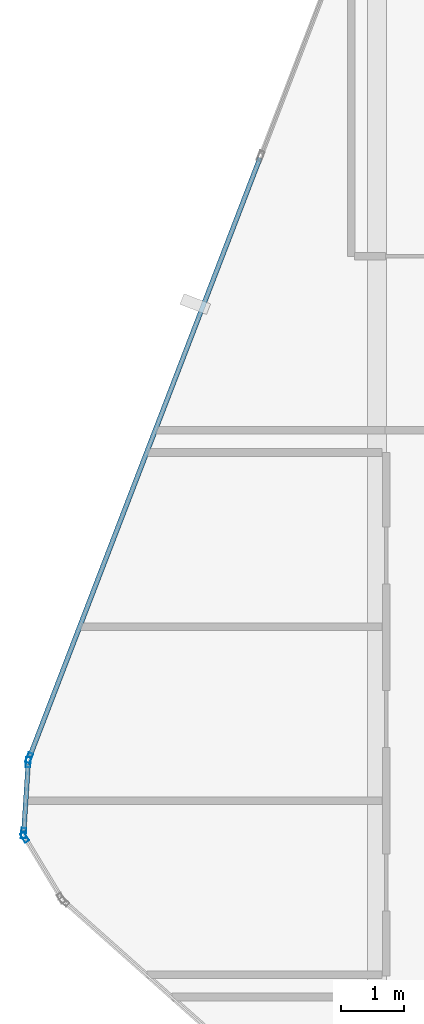
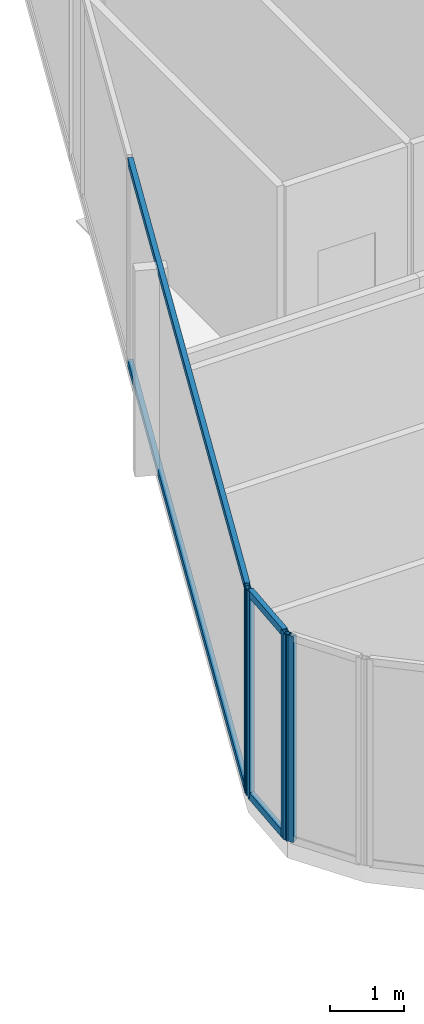
# One storey, part 8 of 28: 8 members, 3 elements without a shape of their own.
"""IFC4 building model written with IfcOpenShell, lengths in metres."""

from ifc_helpers import new_model, si_unit, direction, frame, origin, origin_2d, place, context, subcontext, project, spatial, hollow_rectangle, extrude, material, layer, layer_set, material_profile, profile_set, type_object, element, aggregate, save


model = new_model("IFC4")

# Units and contexts
model_context = context("Model", 3, precision=1e-05, world=origin(), true_north=direction((0.0, 1.0)))
body_context = subcontext(model_context, "Body", "Model", "MODEL_VIEW")
ifc_project = project(units=[si_unit("LENGTHUNIT", "METRE"), si_unit("AREAUNIT", "SQUARE_METRE"), si_unit("VOLUMEUNIT", "CUBIC_METRE"), si_unit("PLANEANGLEUNIT", "RADIAN"), si_unit("MASSUNIT", "GRAM", prefix="KILO")], contexts=[model_context])

# Site, building, storey
site_placement = place(None, origin())
site = spatial("IfcSite", under=ifc_project, at=site_placement, CompositionType="ELEMENT")
building_placement = place(site_placement, origin())
building = spatial("IfcBuilding", under=site, at=building_placement, Name="Keshet Zoharim Tower", CompositionType="ELEMENT")
storey_placement = place(building_placement, frame((0.0, 0.0, 303.60009765625)))
storey = spatial("IfcBuildingStorey", under=building, at=storey_placement, Name="L76", CompositionType="ELEMENT", Elevation=303.60009765625)

# Curtain wall, member
ifc_material = material(Name="Aluminium 6063-T6", Category="aluminium")
ifc_layer = layer(ifc_material, 0.260009765625)
ifc_layer_set = layer_set([ifc_layer], Name="Aluminium 6063-T6")
curtain_wall_type = type_object("IfcCurtainWallType", Name="CW-SYS-06", PredefinedType="NOTDEFINED", material=ifc_layer_set)
curtain_wall_1_placement = place(storey_placement, origin())
curtain_wall_1 = element("IfcCurtainWall", 1, at=curtain_wall_1_placement, inside=storey, type_object=curtain_wall_type, Name="L76 Unitised Curtain Wall 01", PredefinedType="NOTDEFINED")
ifc_material_profile_1 = material_profile(ifc_material, hollow_rectangle(XDim=0.074951171875, YDim=0.159912109375, WallThickness=0.00390625, at=origin_2d()), Name="MUL-75x160")
ifc_profile_set_1 = profile_set([ifc_material_profile_1], Name="Aluminium 6063-T6")
member_type_1 = type_object("IfcMemberType", Name="CWM-M15", PredefinedType="MULLION", material=ifc_profile_set_1)
member_1_placement = place(storey_placement, frame((3.43798828125, 22.77197265625, 0.0), z_axis=(0.0, 0.0, 1.0), x_axis=(-0.856826433805, -0.515604947933, 0.0)))
member_1 = element("IfcMember", 2, at=member_1_placement, type_object=member_type_1, Name="CW-06 mullion 2", PredefinedType="MULLION", context=body_context, shape_type="SweptSolid", body=[
    extrude(hollow_rectangle(XDim=0.074951171875, YDim=0.159912109375, WallThickness=0.00390625, at=origin_2d()), origin(), (0.0, 0.0, 1.0), 3.389892578125),
])
aggregate(curtain_wall_1, [member_1])

# Curtain wall, members
curtain_wall_2_placement = place(storey_placement, origin())
curtain_wall_2 = element("IfcCurtainWall", 3, at=curtain_wall_2_placement, inside=storey, type_object=curtain_wall_type, Name="L76 Unitised Curtain Wall 02", PredefinedType="NOTDEFINED")
member_2_placement = place(storey_placement, frame((3.42236328125, 22.8369140625, 0.0), z_axis=(0.0, 0.0, 1.0), x_axis=(-0.997916617186, 0.064516859374, 0.0)))
member_2 = element("IfcMember", 4, at=member_2_placement, type_object=member_type_1, Name="CW-06 mullion 1", PredefinedType="MULLION", context=body_context, shape_type="SweptSolid", body=[
    extrude(hollow_rectangle(XDim=0.074951171875, YDim=0.159912109375, WallThickness=0.00390625, at=origin_2d()), origin(), (0.0, 0.0, 1.0), 3.389892578125),
])
member_3_placement = place(storey_placement, frame((3.49462890625, 23.9580078125, 0.0), z_axis=(0.0, 0.0, 1.0), x_axis=(-0.997916617186, 0.064516859374, 0.0)))
member_3 = element("IfcMember", 5, at=member_3_placement, type_object=member_type_1, Name="CW-06 mullion 2", PredefinedType="MULLION", context=body_context, shape_type="SweptSolid", body=[
    extrude(hollow_rectangle(XDim=0.074951171875, YDim=0.159912109375, WallThickness=0.00390625, at=origin_2d()), origin(), (0.0, 0.0, 1.0), 3.389892578125),
])

# Curtain wall, member
curtain_wall_3_placement = place(storey_placement, origin())
curtain_wall_3 = element("IfcCurtainWall", 6, at=curtain_wall_3_placement, inside=storey, type_object=curtain_wall_type, Name="L76 Unitised Curtain Wall 03", PredefinedType="NOTDEFINED")
member_4_placement = place(storey_placement, frame((3.509521484375, 24.025634765625, 0.0), z_axis=(0.0, 0.0, 1.0), x_axis=(-0.933341404361, 0.358990003907, 0.0)))
member_4 = element("IfcMember", 7, at=member_4_placement, type_object=member_type_1, Name="CW-06 mullion 1", PredefinedType="MULLION", context=body_context, shape_type="SweptSolid", body=[
    extrude(hollow_rectangle(XDim=0.074951171875, YDim=0.159912109375, WallThickness=0.00390625, at=origin_2d()), origin(), (0.0, 0.0, 1.0), 3.389892578125),
])

# Member
ifc_material_profile_2 = material_profile(ifc_material, hollow_rectangle(XDim=0.074951171875, YDim=0.1201171875, WallThickness=0.00390625, at=origin_2d()), Name="TRN-75x120")
ifc_profile_set_2 = profile_set([ifc_material_profile_2], Name="Aluminium 6063-T6")
member_type_2 = type_object("IfcMemberType", Name="CWT-T12", PredefinedType="USERDEFINED", material=ifc_profile_set_2)
member_5_placement = place(storey_placement, frame((3.424560546875, 22.871826171875, 0.034912109375), z_axis=(0.064426947155, 0.997922426083, 0.0), x_axis=(-0.997922426083, 0.064426947155, 0.0)))
member_5 = element("IfcMember", 8, at=member_5_placement, type_object=member_type_2, Name="CW-06 transom 1.1", ObjectType="TRANSOM", PredefinedType="USERDEFINED", context=body_context, shape_type="SweptSolid", body=[
    extrude(hollow_rectangle(XDim=0.074951171875, YDim=0.1201171875, WallThickness=0.00390625, at=origin_2d()), origin(), (0.0, 0.0, 1.0), 1.053466796875),
])

member_6_placement = place(storey_placement, frame((3.424560546875, 22.871826171875, 3.35498046875), z_axis=(0.064426947155, 0.997922426083, 0.0), x_axis=(-0.997922426083, 0.064426947155, 0.0)))
member_6 = element("IfcMember", 9, at=member_6_placement, type_object=member_type_2, Name="CW-06 transom 1.2", ObjectType="TRANSOM", PredefinedType="USERDEFINED", context=body_context, shape_type="SweptSolid", body=[
    extrude(hollow_rectangle(XDim=0.074951171875, YDim=0.1201171875, WallThickness=0.00390625, at=origin_2d()), origin(), (0.0, 0.0, 1.0), 1.053466796875),
])

aggregate(curtain_wall_2, [member_2, member_3, member_5, member_6])

member_7_placement = place(storey_placement, frame((3.522216796875, 24.058349609375, 0.034912109375), z_axis=(0.358993631387, 0.93334000912, 0.0), x_axis=(-0.93334000912, 0.358993631387, 0.0)))
member_7 = element("IfcMember", 10, at=member_7_placement, type_object=member_type_2, Name="CW-06 transom 1.1", ObjectType="TRANSOM", PredefinedType="USERDEFINED", context=body_context, shape_type="SweptSolid", body=[
    extrude(hollow_rectangle(XDim=0.074951171875, YDim=0.1201171875, WallThickness=0.00390625, at=origin_2d()), origin(), (0.0, 0.0, 1.0), 10.1181640625),
])

member_8_placement = place(storey_placement, frame((3.522216796875, 24.058349609375, 3.35498046875), z_axis=(0.358993631387, 0.93334000912, 0.0), x_axis=(-0.93334000912, 0.358993631387, 0.0)))
member_8 = element("IfcMember", 11, at=member_8_placement, type_object=member_type_2, Name="CW-06 transom 1.2", ObjectType="TRANSOM", PredefinedType="USERDEFINED", context=body_context, shape_type="SweptSolid", body=[
    extrude(hollow_rectangle(XDim=0.074951171875, YDim=0.1201171875, WallThickness=0.00390625, at=origin_2d()), origin(), (0.0, 0.0, 1.0), 10.1181640625),
])

aggregate(curtain_wall_3, [member_4, member_7, member_8])

save(model, "model.ifc")
